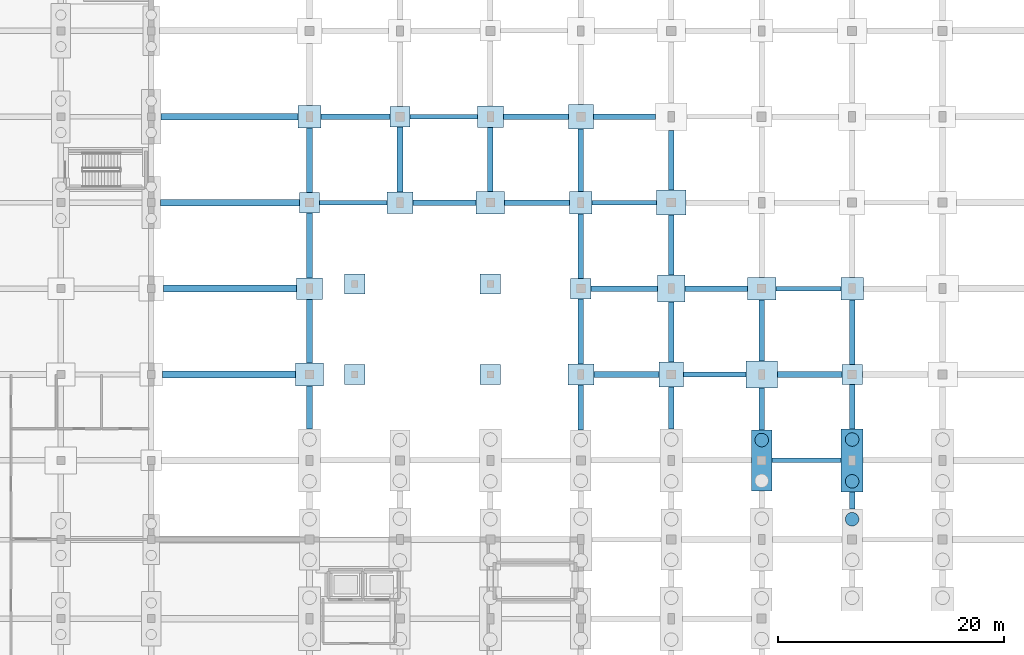
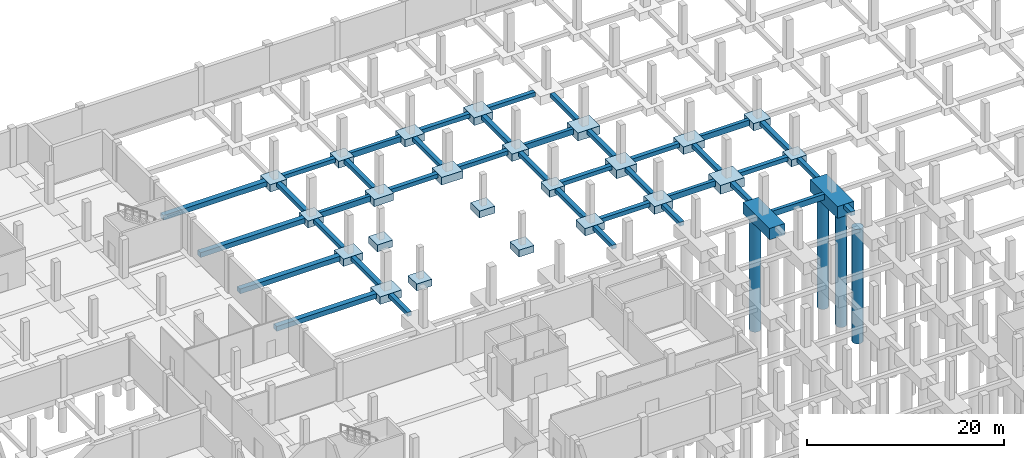
# One storey, part 16 of 50: 63 footings, 4 piles.
"""IFC4 building model written with IfcOpenShell, lengths in metres."""

from ifc_helpers import new_model, si_unit, direction, frame, origin, origin_2d, place, context, subcontext, project, spatial, polyline, rectangle, circle, outline, extrude, material, material_profile, profile_set, type_object, element, save


model = new_model("IFC4")

# Units and contexts
model_context = context("Model", 3, precision=1e-05, world=origin(), true_north=direction((0.0, 1.0)))
body_context = subcontext(model_context, "Body", "Model", "MODEL_VIEW")
ifc_project = project(units=[si_unit("LENGTHUNIT", "METRE"), si_unit("AREAUNIT", "SQUARE_METRE"), si_unit("VOLUMEUNIT", "CUBIC_METRE"), si_unit("PLANEANGLEUNIT", "RADIAN"), si_unit("MASSUNIT", "GRAM", prefix="KILO")], contexts=[model_context])

# Site, building, storey
site_placement = place(None, origin())
site = spatial("IfcSite", under=ifc_project, at=site_placement, CompositionType="ELEMENT")
building_placement = place(site_placement, origin())
building = spatial("IfcBuilding", under=site, at=building_placement, Name="Vekula Escarpment Museum", CompositionType="ELEMENT")
storey_placement = place(building_placement, frame((0.0, 0.0, -4.800048828125)))
storey = spatial("IfcBuildingStorey", under=building, at=storey_placement, Name="B1", CompositionType="ELEMENT", Elevation=-4.800048828125)

# Footings
ifc_material_1 = material(Name="Concrete C35/45", Category="concrete")
ifc_material_profile_1 = material_profile(ifc_material_1, rectangle(XDim=0.39990234375, YDim=0.699951171875, at=origin_2d()), Name="RC 400x700")
ifc_profile_set_1 = profile_set([ifc_material_profile_1], Name="Concrete C35/45")
footing_type_1 = type_object("IfcFootingType", Name="FB-TIE-400x700", PredefinedType="FOOTING_BEAM", material=ifc_profile_set_1)
footing_1_placement = place(storey_placement, frame((110.89990234375, 90.39990234375, -0.349853515625), z_axis=(1.0, 0.0, 0.0), x_axis=(0.0, 1.0, 0.0)))
element("IfcFooting", 1, at=footing_1_placement, inside=storey, type_object=footing_type_1, Name="Foundation Tie Beam 267", PredefinedType="FOOTING_BEAM", context=body_context, shape_type="SweptSolid", body=[
    extrude(rectangle(XDim=0.39990234375, YDim=0.699951171875, at=origin_2d()), origin(), (0.0, 0.0, 1.0), 6.125),
])
footing_2_placement = place(storey_placement, frame((103.10009765625, 98.0, -0.349853515625), z_axis=(1.0, 0.0, 0.0), x_axis=(0.0, 1.0, 0.0)))
element("IfcFooting", 2, at=footing_2_placement, inside=storey, type_object=footing_type_1, Name="Foundation Tie Beam 282", PredefinedType="FOOTING_BEAM", context=body_context, shape_type="SweptSolid", body=[
    extrude(rectangle(XDim=0.39990234375, YDim=0.699951171875, at=origin_2d()), origin(), (0.0, 0.0, 1.0), 5.5),
])
footing_3_placement = place(storey_placement, frame((111.25, 105.60009765625, -0.349853515625), z_axis=(1.0, 0.0, 0.0), x_axis=(0.0, 1.0, 0.0)))
element("IfcFooting", 3, at=footing_3_placement, inside=storey, type_object=footing_type_1, Name="Foundation Tie Beam 303", PredefinedType="FOOTING_BEAM", context=body_context, shape_type="SweptSolid", body=[
    extrude(rectangle(XDim=0.39990234375, YDim=0.699951171875, at=origin_2d()), origin(), (0.0, 0.0, 1.0), 5.75),
])
footing_4_placement = place(storey_placement, frame((70.89990234375, 113.199951171875, -0.349853515625), z_axis=(1.0, 0.0, 0.0), x_axis=(0.0, 1.0, 0.0)))
element("IfcFooting", 4, at=footing_4_placement, inside=storey, type_object=footing_type_1, Name="Foundation Tie Beam 321", PredefinedType="FOOTING_BEAM", context=body_context, shape_type="SweptSolid", body=[
    extrude(rectangle(XDim=0.39990234375, YDim=0.699951171875, at=origin_2d()), origin(), (0.0, 0.0, 1.0), 5.9501953125),
])
footing_5_placement = place(storey_placement, frame((95.0, 113.199951171875, -0.349853515625), z_axis=(1.0, 0.0, 0.0), x_axis=(0.0, 1.0, 0.0)))
element("IfcFooting", 5, at=footing_5_placement, inside=storey, type_object=footing_type_1, Name="Foundation Tie Beam 324", PredefinedType="FOOTING_BEAM", context=body_context, shape_type="SweptSolid", body=[
    extrude(rectangle(XDim=0.39990234375, YDim=0.699951171875, at=origin_2d()), origin(), (0.0, 0.0, 1.0), 5.699951171875),
])
footing_6_placement = place(storey_placement, frame((78.89990234375, 120.800048828125, -0.349853515625), z_axis=(1.0, 0.0, 0.0), x_axis=(0.0, 1.0, 0.0)))
element("IfcFooting", 6, at=footing_6_placement, inside=storey, type_object=footing_type_1, Name="Foundation Tie Beam 345", PredefinedType="FOOTING_BEAM", context=body_context, shape_type="SweptSolid", body=[
    extrude(rectangle(XDim=0.39990234375, YDim=0.699951171875, at=origin_2d()), origin(), (0.0, 0.0, 1.0), 5.9501953125),
])
ifc_material_2 = material(Name="Concrete C35/45", Category="concrete")
ifc_material_profile_2 = material_profile(ifc_material_2, rectangle(XDim=0.5, YDim=0.5, at=origin_2d()), Name="RC 500x500")
ifc_profile_set_2 = profile_set([ifc_material_profile_2], Name="Concrete C35/45")
footing_type_2 = type_object("IfcFootingType", Name="FB-TIE-500x500", PredefinedType="FOOTING_BEAM", material=ifc_profile_set_2)
footing_7_placement = place(storey_placement, frame((95.14990234375, 98.0, -0.25), z_axis=(1.0, 0.0, 0.0), x_axis=(0.0, 1.0, 0.0)))
element("IfcFooting", 7, at=footing_7_placement, inside=storey, type_object=footing_type_2, Name="Foundation Tie Beam 281", PredefinedType="FOOTING_BEAM", context=body_context, shape_type="SweptSolid", body=[
    extrude(rectangle(XDim=0.5, YDim=0.5, at=origin_2d()), origin(), (0.0, 0.0, 1.0), 5.75),
])
footing_8_placement = place(storey_placement, frame((111.39990234375, 98.0, -0.25), z_axis=(1.0, 0.0, 0.0), x_axis=(0.0, 1.0, 0.0)))
element("IfcFooting", 8, at=footing_8_placement, inside=storey, type_object=footing_type_2, Name="Foundation Tie Beam 283", PredefinedType="FOOTING_BEAM", context=body_context, shape_type="SweptSolid", body=[
    extrude(rectangle(XDim=0.5, YDim=0.5, at=origin_2d()), origin(), (0.0, 0.0, 1.0), 5.7001953125),
])
footing_9_placement = place(storey_placement, frame((94.89990234375, 105.60009765625, -0.25), z_axis=(1.0, 0.0, 0.0), x_axis=(0.0, 1.0, 0.0)))
element("IfcFooting", 9, at=footing_9_placement, inside=storey, type_object=footing_type_2, Name="Foundation Tie Beam 301", PredefinedType="FOOTING_BEAM", context=body_context, shape_type="SweptSolid", body=[
    extrude(rectangle(XDim=0.5, YDim=0.5, at=origin_2d()), origin(), (0.0, 0.0, 1.0), 5.900146484375),
])
footing_10_placement = place(storey_placement, frame((103.199951171875, 105.60009765625, -0.25), z_axis=(1.0, 0.0, 0.0), x_axis=(0.0, 1.0, 0.0)))
element("IfcFooting", 10, at=footing_10_placement, inside=storey, type_object=footing_type_2, Name="Foundation Tie Beam 302", PredefinedType="FOOTING_BEAM", context=body_context, shape_type="SweptSolid", body=[
    extrude(rectangle(XDim=0.5, YDim=0.5, at=origin_2d()), origin(), (0.0, 0.0, 1.0), 5.550048828125),
])
footing_11_placement = place(storey_placement, frame((79.14990234375, 113.199951171875, -0.25), z_axis=(1.0, 0.0, 0.0), x_axis=(0.0, 1.0, 0.0)))
element("IfcFooting", 11, at=footing_11_placement, inside=storey, type_object=footing_type_2, Name="Foundation Tie Beam 322", PredefinedType="FOOTING_BEAM", context=body_context, shape_type="SweptSolid", body=[
    extrude(rectangle(XDim=0.5, YDim=0.5, at=origin_2d()), origin(), (0.0, 0.0, 1.0), 5.60009765625),
])
footing_12_placement = place(storey_placement, frame((87.25, 113.199951171875, -0.25), z_axis=(1.0, 0.0, 0.0), x_axis=(0.0, 1.0, 0.0)))
element("IfcFooting", 12, at=footing_12_placement, inside=storey, type_object=footing_type_2, Name="Foundation Tie Beam 323", PredefinedType="FOOTING_BEAM", context=body_context, shape_type="SweptSolid", body=[
    extrude(rectangle(XDim=0.5, YDim=0.5, at=origin_2d()), origin(), (0.0, 0.0, 1.0), 5.75),
])
footing_13_placement = place(storey_placement, frame((71.0, 120.800048828125, -0.25), z_axis=(1.0, 0.0, 0.0), x_axis=(0.0, 1.0, 0.0)))
element("IfcFooting", 13, at=footing_13_placement, inside=storey, type_object=footing_type_2, Name="Foundation Tie Beam 344", PredefinedType="FOOTING_BEAM", context=body_context, shape_type="SweptSolid", body=[
    extrude(rectangle(XDim=0.5, YDim=0.5, at=origin_2d()), origin(), (0.0, 0.0, 1.0), 6.10009765625),
])
footing_14_placement = place(storey_placement, frame((87.14990234375, 120.800048828125, -0.25), z_axis=(1.0, 0.0, 0.0), x_axis=(0.0, 1.0, 0.0)))
element("IfcFooting", 14, at=footing_14_placement, inside=storey, type_object=footing_type_2, Name="Foundation Tie Beam 346", PredefinedType="FOOTING_BEAM", context=body_context, shape_type="SweptSolid", body=[
    extrude(rectangle(XDim=0.5, YDim=0.5, at=origin_2d()), origin(), (0.0, 0.0, 1.0), 5.75),
])
footing_15_placement = place(storey_placement, frame((95.10009765625, 120.800048828125, -0.25), z_axis=(1.0, 0.0, 0.0), x_axis=(0.0, 1.0, 0.0)))
element("IfcFooting", 15, at=footing_15_placement, inside=storey, type_object=footing_type_2, Name="Foundation Tie Beam 347", PredefinedType="FOOTING_BEAM", context=body_context, shape_type="SweptSolid", body=[
    extrude(rectangle(XDim=0.5, YDim=0.5, at=origin_2d()), origin(), (0.0, 0.0, 1.0), 5.5),
])
footing_16_placement = place(storey_placement, frame((70.0, 93.199951171875, -0.25), z_axis=(0.0, 1.0, 0.0), x_axis=(-1.0, 0.0, 0.0)))
element("IfcFooting", 16, at=footing_16_placement, inside=storey, type_object=footing_type_2, Name="Foundation Tie Beam 562", PredefinedType="FOOTING_BEAM", context=body_context, shape_type="SweptSolid", body=[
    extrude(rectangle(XDim=0.5, YDim=0.5, at=origin_2d()), origin(), (0.0, 0.0, 1.0), 3.800048828125),
])
footing_17_placement = place(storey_placement, frame((70.0, 99.0, -0.25), z_axis=(0.0, 1.0, 0.0), x_axis=(-1.0, 0.0, 0.0)))
element("IfcFooting", 17, at=footing_17_placement, inside=storey, type_object=footing_type_2, Name="Foundation Tie Beam 563", PredefinedType="FOOTING_BEAM", context=body_context, shape_type="SweptSolid", body=[
    extrude(rectangle(XDim=0.5, YDim=0.5, at=origin_2d()), origin(), (0.0, 0.0, 1.0), 5.64990234375),
])
footing_18_placement = place(storey_placement, frame((70.0, 106.550048828125, -0.25), z_axis=(0.0, 1.0, 0.0), x_axis=(-1.0, 0.0, 0.0)))
element("IfcFooting", 18, at=footing_18_placement, inside=storey, type_object=footing_type_2, Name="Foundation Tie Beam 564", PredefinedType="FOOTING_BEAM", context=body_context, shape_type="SweptSolid", body=[
    extrude(rectangle(XDim=0.5, YDim=0.5, at=origin_2d()), origin(), (0.0, 0.0, 1.0), 5.75),
])
footing_19_placement = place(storey_placement, frame((70.0, 114.10009765625, -0.25), z_axis=(0.0, 1.0, 0.0), x_axis=(-1.0, 0.0, 0.0)))
element("IfcFooting", 19, at=footing_19_placement, inside=storey, type_object=footing_type_2, Name="Foundation Tie Beam 565", PredefinedType="FOOTING_BEAM", context=body_context, shape_type="SweptSolid", body=[
    extrude(rectangle(XDim=0.5, YDim=0.5, at=origin_2d()), origin(), (0.0, 0.0, 1.0), 5.699951171875),
])
footing_20_placement = place(storey_placement, frame((78.0, 114.14990234375, -0.25), z_axis=(0.0, 1.0, 0.0), x_axis=(-1.0, 0.0, 0.0)))
element("IfcFooting", 20, at=footing_20_placement, inside=storey, type_object=footing_type_2, Name="Foundation Tie Beam 577", PredefinedType="FOOTING_BEAM", context=body_context, shape_type="SweptSolid", body=[
    extrude(rectangle(XDim=0.5, YDim=0.5, at=origin_2d()), origin(), (0.0, 0.0, 1.0), 5.75),
])
footing_21_placement = place(storey_placement, frame((86.0, 114.199951171875, -0.25), z_axis=(0.0, 1.0, 0.0), x_axis=(-1.0, 0.0, 0.0)))
element("IfcFooting", 21, at=footing_21_placement, inside=storey, type_object=footing_type_2, Name="Foundation Tie Beam 589", PredefinedType="FOOTING_BEAM", context=body_context, shape_type="SweptSolid", body=[
    extrude(rectangle(XDim=0.5, YDim=0.5, at=origin_2d()), origin(), (0.0, 0.0, 1.0), 5.650146484375),
])
footing_22_placement = place(storey_placement, frame((94.0, 93.10009765625, -0.25), z_axis=(0.0, 1.0, 0.0), x_axis=(-1.0, 0.0, 0.0)))
element("IfcFooting", 22, at=footing_22_placement, inside=storey, type_object=footing_type_2, Name="Foundation Tie Beam 604", PredefinedType="FOOTING_BEAM", context=body_context, shape_type="SweptSolid", body=[
    extrude(rectangle(XDim=0.5, YDim=0.5, at=origin_2d()), origin(), (0.0, 0.0, 1.0), 3.949951171875),
])
footing_23_placement = place(storey_placement, frame((94.0, 98.949951171875, -0.25), z_axis=(0.0, 1.0, 0.0), x_axis=(-1.0, 0.0, 0.0)))
element("IfcFooting", 23, at=footing_23_placement, inside=storey, type_object=footing_type_2, Name="Foundation Tie Beam 605", PredefinedType="FOOTING_BEAM", context=body_context, shape_type="SweptSolid", body=[
    extrude(rectangle(XDim=0.5, YDim=0.5, at=origin_2d()), origin(), (0.0, 0.0, 1.0), 5.75),
])
footing_24_placement = place(storey_placement, frame((94.0, 106.5, -0.25), z_axis=(0.0, 1.0, 0.0), x_axis=(-1.0, 0.0, 0.0)))
element("IfcFooting", 24, at=footing_24_placement, inside=storey, type_object=footing_type_2, Name="Foundation Tie Beam 606", PredefinedType="FOOTING_BEAM", context=body_context, shape_type="SweptSolid", body=[
    extrude(rectangle(XDim=0.5, YDim=0.5, at=origin_2d()), origin(), (0.0, 0.0, 1.0), 5.699951171875),
])
footing_25_placement = place(storey_placement, frame((94.0, 114.199951171875, -0.25), z_axis=(0.0, 1.0, 0.0), x_axis=(-1.0, 0.0, 0.0)))
element("IfcFooting", 25, at=footing_25_placement, inside=storey, type_object=footing_type_2, Name="Foundation Tie Beam 607", PredefinedType="FOOTING_BEAM", context=body_context, shape_type="SweptSolid", body=[
    extrude(rectangle(XDim=0.5, YDim=0.5, at=origin_2d()), origin(), (0.0, 0.0, 1.0), 5.5),
])
footing_26_placement = place(storey_placement, frame((102.0, 93.199951171875, -0.25), z_axis=(0.0, 1.0, 0.0), x_axis=(-1.0, 0.0, 0.0)))
element("IfcFooting", 26, at=footing_26_placement, inside=storey, type_object=footing_type_2, Name="Foundation Tie Beam 622", PredefinedType="FOOTING_BEAM", context=body_context, shape_type="SweptSolid", body=[
    extrude(rectangle(XDim=0.5, YDim=0.5, at=origin_2d()), origin(), (0.0, 0.0, 1.0), 3.699951171875),
])
footing_27_placement = place(storey_placement, frame((102.0, 99.10009765625, -0.25), z_axis=(0.0, 1.0, 0.0), x_axis=(-1.0, 0.0, 0.0)))
element("IfcFooting", 27, at=footing_27_placement, inside=storey, type_object=footing_type_2, Name="Foundation Tie Beam 623", PredefinedType="FOOTING_BEAM", context=body_context, shape_type="SweptSolid", body=[
    extrude(rectangle(XDim=0.5, YDim=0.5, at=origin_2d()), origin(), (0.0, 0.0, 1.0), 5.2998046875),
])
for number, where, z_axis, x_axis, name in (
    (28, (102.0, 106.800048828125, -0.25), (0.0, 1.0, 0.0), (-1.0, 0.0, 0.0), "Foundation Tie Beam 624"),
    (29, (102.0, 114.300048828125, -0.25), (0.0, 1.0, 0.0), (-1.0, 0.0, 0.0), "Foundation Tie Beam 625"),
):
    element("IfcFooting", number, at=place(storey_placement, frame(where, z_axis=z_axis, x_axis=x_axis)), inside=storey, type_object=footing_type_2, Name=name, PredefinedType="FOOTING_BEAM", context=body_context, shape_type="SweptSolid", body=[
        extrude(rectangle(XDim=0.5, YDim=0.5, at=origin_2d()), origin(), (0.0, 0.0, 1.0), 5.300048828125),
    ])
footing_28_placement = place(storey_placement, frame((110.0, 93.10009765625, -0.25), z_axis=(0.0, 1.0, 0.0), x_axis=(-1.0, 0.0, 0.0)))
element("IfcFooting", 30, at=footing_28_placement, inside=storey, type_object=footing_type_2, Name="Foundation Tie Beam 640", PredefinedType="FOOTING_BEAM", context=body_context, shape_type="SweptSolid", body=[
    extrude(rectangle(XDim=0.5, YDim=0.5, at=origin_2d()), origin(), (0.0, 0.0, 1.0), 3.699951171875),
])
footing_29_placement = place(storey_placement, frame((110.0, 99.199951171875, -0.25), z_axis=(0.0, 1.0, 0.0), x_axis=(-1.0, 0.0, 0.0)))
element("IfcFooting", 31, at=footing_29_placement, inside=storey, type_object=footing_type_2, Name="Foundation Tie Beam 641", PredefinedType="FOOTING_BEAM", context=body_context, shape_type="SweptSolid", body=[
    extrude(rectangle(XDim=0.5, YDim=0.5, at=origin_2d()), origin(), (0.0, 0.0, 1.0), 5.400146484375),
])
footing_30_placement = place(storey_placement, frame((118.0, 86.10009765625, -0.25), z_axis=(0.0, 1.0, 0.0), x_axis=(-1.0, 0.0, 0.0)))
element("IfcFooting", 32, at=footing_30_placement, inside=storey, type_object=footing_type_2, Name="Foundation Tie Beam 657", PredefinedType="FOOTING_BEAM", context=body_context, shape_type="SweptSolid", body=[
    extrude(rectangle(XDim=0.5, YDim=0.5, at=origin_2d()), origin(), (0.0, 0.0, 1.0), 1.5),
])
footing_31_placement = place(storey_placement, frame((118.0, 93.199951171875, -0.25), z_axis=(0.0, 1.0, 0.0), x_axis=(-1.0, 0.0, 0.0)))
element("IfcFooting", 33, at=footing_31_placement, inside=storey, type_object=footing_type_2, Name="Foundation Tie Beam 658", PredefinedType="FOOTING_BEAM", context=body_context, shape_type="SweptSolid", body=[
    extrude(rectangle(XDim=0.5, YDim=0.5, at=origin_2d()), origin(), (0.0, 0.0, 1.0), 3.900146484375),
])
footing_32_placement = place(storey_placement, frame((118.0, 98.89990234375, -0.25), z_axis=(0.0, 1.0, 0.0), x_axis=(-1.0, 0.0, 0.0)))
element("IfcFooting", 34, at=footing_32_placement, inside=storey, type_object=footing_type_2, Name="Foundation Tie Beam 659", PredefinedType="FOOTING_BEAM", context=body_context, shape_type="SweptSolid", body=[
    extrude(rectangle(XDim=0.5, YDim=0.5, at=origin_2d()), origin(), (0.0, 0.0, 1.0), 5.7001953125),
])
ifc_material_3 = material(Name="Concrete C35/45", Category="concrete")
ifc_material_profile_3 = material_profile(ifc_material_3, rectangle(XDim=0.60009765625, YDim=0.60009765625, at=origin_2d()), Name="RC 600x600")
ifc_profile_set_3 = profile_set([ifc_material_profile_3], Name="Concrete C35/45")
footing_type_3 = type_object("IfcFootingType", Name="FB-TIE-600x600", PredefinedType="FOOTING_BEAM", material=ifc_profile_set_3)
for number, where, z_axis, x_axis, name in (
    (35, (57.0, 98.0, -0.300048828125), (1.0, 0.0, 0.0), (0.0, 1.0, 0.0), "Foundation Tie Beam 280"),
    (36, (57.10009765625, 105.60009765625, -0.300048828125), (1.0, 0.0, 0.0), (0.0, 1.0, 0.0), "Foundation Tie Beam 300"),
):
    element("IfcFooting", number, at=place(storey_placement, frame(where, z_axis=z_axis, x_axis=x_axis)), inside=storey, type_object=footing_type_3, Name=name, PredefinedType="FOOTING_BEAM", context=body_context, shape_type="SweptSolid", body=[
        extrude(rectangle(XDim=0.60009765625, YDim=0.60009765625, at=origin_2d()), origin(), (0.0, 0.0, 1.0), 11.75),
    ])
footing_33_placement = place(storey_placement, frame((56.824951171875, 113.199951171875, -0.300048828125), z_axis=(1.0, 0.0, 0.0), x_axis=(0.0, 1.0, 0.0)))
element("IfcFooting", 37, at=footing_33_placement, inside=storey, type_object=footing_type_3, Name="Foundation Tie Beam 320", PredefinedType="FOOTING_BEAM", context=body_context, shape_type="SweptSolid", body=[
    extrude(rectangle(XDim=0.60009765625, YDim=0.60009765625, at=origin_2d()), origin(), (0.0, 0.0, 1.0), 12.275146484375),
])
footing_34_placement = place(storey_placement, frame((56.875, 120.800048828125, -0.300048828125), z_axis=(1.0, 0.0, 0.0), x_axis=(0.0, 1.0, 0.0)))
element("IfcFooting", 38, at=footing_34_placement, inside=storey, type_object=footing_type_3, Name="Foundation Tie Beam 343", PredefinedType="FOOTING_BEAM", context=body_context, shape_type="SweptSolid", body=[
    extrude(rectangle(XDim=0.60009765625, YDim=0.60009765625, at=origin_2d()), origin(), (0.0, 0.0, 1.0), 12.125),
])
ifc_material_4 = material(Name="Concrete C35/45", Category="concrete")
footing_type_4 = type_object("IfcFootingType", Name="FC-PAD1", PredefinedType="PAD_FOOTING", material=ifc_material_4)
footing_35_placement = place(storey_placement, frame((0.0, 0.0, -0.849853515625)))
element("IfcFooting", 39, at=footing_35_placement, inside=storey, type_object=footing_type_4, Name="Foundation FC-PAD1 (70.0,113.2)", PredefinedType="PAD_FOOTING", context=body_context, shape_type="SweptSolid", body=[
    extrude(outline(polyline([(69.10009765625, 112.300048828125), (70.89990234375, 112.300048828125), (70.89990234375, 114.10009765625), (69.10009765625, 114.10009765625), (69.10009765625, 112.300048828125)])), origin(), (0.0, 0.0, 1.0), 0.849853515625),
])
footing_36_placement = place(storey_placement, frame((0.0, 0.0, -0.849853515625)))
element("IfcFooting", 40, at=footing_36_placement, inside=storey, type_object=footing_type_4, Name="Foundation FC-PAD1 (78.0,120.8)", PredefinedType="PAD_FOOTING", context=body_context, shape_type="SweptSolid", body=[
    extrude(outline(polyline([(77.10009765625, 119.89990234375), (78.89990234375, 119.89990234375), (78.89990234375, 121.699951171875), (77.10009765625, 121.699951171875), (77.10009765625, 119.89990234375)])), origin(), (0.0, 0.0, 1.0), 0.849853515625),
])
footing_37_placement = place(storey_placement, frame((0.0, 0.0, -0.849853515625)))
element("IfcFooting", 41, at=footing_37_placement, inside=storey, type_object=footing_type_4, Name="Foundation FC-PAD1 (94.0,105.6)", PredefinedType="PAD_FOOTING", context=body_context, shape_type="SweptSolid", body=[
    extrude(outline(polyline([(93.10009765625, 104.699951171875), (94.89990234375, 104.699951171875), (94.89990234375, 106.5), (93.10009765625, 106.5), (93.10009765625, 104.699951171875)])), origin(), (0.0, 0.0, 1.0), 0.849853515625),
])
footing_38_placement = place(storey_placement, frame((0.0, 0.0, -0.849853515625)))
element("IfcFooting", 42, at=footing_38_placement, inside=storey, type_object=footing_type_4, Name="Foundation FC-PAD1 (118.0,98.0)", PredefinedType="PAD_FOOTING", context=body_context, shape_type="SweptSolid", body=[
    extrude(outline(polyline([(117.10009765625, 97.10009765625), (118.89990234375, 97.10009765625), (118.89990234375, 98.89990234375), (117.10009765625, 98.89990234375), (117.10009765625, 97.10009765625)])), origin(), (0.0, 0.0, 1.0), 0.849853515625),
])
footing_39_placement = place(storey_placement, frame((0.0, 0.0, -0.849853515625)))
element("IfcFooting", 43, at=footing_39_placement, inside=storey, type_object=footing_type_4, Name="Basin Foundation Pad N1", PredefinedType="PAD_FOOTING", context=body_context, shape_type="SweptSolid", body=[
    extrude(outline(polyline([(73.10009765625, 97.10009765625), (74.89990234375, 97.10009765625), (74.89990234375, 98.89990234375), (73.10009765625, 98.89990234375), (73.10009765625, 97.10009765625)])), origin(), (0.0, 0.0, 1.0), 0.849853515625),
])
footing_40_placement = place(storey_placement, frame((0.0, 0.0, -0.849853515625)))
element("IfcFooting", 44, at=footing_40_placement, inside=storey, type_object=footing_type_4, Name="Basin Foundation Pad N2", PredefinedType="PAD_FOOTING", context=body_context, shape_type="SweptSolid", body=[
    extrude(outline(polyline([(85.10009765625, 97.10009765625), (86.89990234375, 97.10009765625), (86.89990234375, 98.89990234375), (85.10009765625, 98.89990234375), (85.10009765625, 97.10009765625)])), origin(), (0.0, 0.0, 1.0), 0.849853515625),
])
footing_41_placement = place(storey_placement, frame((0.0, 0.0, -0.849853515625)))
element("IfcFooting", 45, at=footing_41_placement, inside=storey, type_object=footing_type_4, Name="Basin Foundation Pad N3", PredefinedType="PAD_FOOTING", context=body_context, shape_type="SweptSolid", body=[
    extrude(outline(polyline([(85.10009765625, 105.10009765625), (86.89990234375, 105.10009765625), (86.89990234375, 106.89990234375), (85.10009765625, 106.89990234375), (85.10009765625, 105.10009765625)])), origin(), (0.0, 0.0, 1.0), 0.849853515625),
])
footing_42_placement = place(storey_placement, frame((0.0, 0.0, -0.849853515625)))
element("IfcFooting", 46, at=footing_42_placement, inside=storey, type_object=footing_type_4, Name="Basin Foundation Pad N4", PredefinedType="PAD_FOOTING", context=body_context, shape_type="SweptSolid", body=[
    extrude(outline(polyline([(73.10009765625, 105.10009765625), (74.89990234375, 105.10009765625), (74.89990234375, 106.89990234375), (73.10009765625, 106.89990234375), (73.10009765625, 105.10009765625)])), origin(), (0.0, 0.0, 1.0), 0.849853515625),
])
ifc_material_5 = material(Name="Concrete C35/45", Category="concrete")
footing_type_5 = type_object("IfcFootingType", Name="FC-PAD2", PredefinedType="PAD_FOOTING", material=ifc_material_5)
footing_43_placement = place(storey_placement, frame((0.0, 0.0, -0.89990234375)))
element("IfcFooting", 47, at=footing_43_placement, inside=storey, type_object=footing_type_5, Name="Foundation FC-PAD2 (70.0,120.8)", PredefinedType="PAD_FOOTING", context=body_context, shape_type="SweptSolid", body=[
    extrude(outline(polyline([(69.0, 119.800048828125), (71.0, 119.800048828125), (71.0, 121.800048828125), (69.0, 121.800048828125), (69.0, 119.800048828125)])), origin(), (0.0, 0.0, 1.0), 0.89990234375),
])
footing_44_placement = place(storey_placement, frame((0.0, 0.0, -0.89990234375)))
element("IfcFooting", 48, at=footing_44_placement, inside=storey, type_object=footing_type_5, Name="Foundation FC-PAD2 (94.0,113.2)", PredefinedType="PAD_FOOTING", context=body_context, shape_type="SweptSolid", body=[
    extrude(outline(polyline([(93.0, 112.199951171875), (95.0, 112.199951171875), (95.0, 114.199951171875), (93.0, 114.199951171875), (93.0, 112.199951171875)])), origin(), (0.0, 0.0, 1.0), 0.89990234375),
])
footing_45_placement = place(storey_placement, frame((0.0, 0.0, -0.89990234375)))
element("IfcFooting", 49, at=footing_45_placement, inside=storey, type_object=footing_type_5, Name="Foundation FC-PAD2 (118.0,105.6)", PredefinedType="PAD_FOOTING", context=body_context, shape_type="SweptSolid", body=[
    extrude(outline(polyline([(117.0, 104.60009765625), (119.0, 104.60009765625), (119.0, 106.60009765625), (117.0, 106.60009765625), (117.0, 104.60009765625)])), origin(), (0.0, 0.0, 1.0), 0.89990234375),
])
ifc_material_6 = material(Name="Concrete C35/45", Category="concrete")
footing_type_6 = type_object("IfcFootingType", Name="FC-PAD3", PredefinedType="PAD_FOOTING", material=ifc_material_6)
footing_46_placement = place(storey_placement, frame((0.0, 0.0, -0.949951171875)))
element("IfcFooting", 50, at=footing_46_placement, inside=storey, type_object=footing_type_6, Name="Foundation FC-PAD3 (94.0,120.8)", PredefinedType="PAD_FOOTING", context=body_context, shape_type="SweptSolid", body=[
    extrude(outline(polyline([(92.89990234375, 119.699951171875), (95.10009765625, 119.699951171875), (95.10009765625, 121.89990234375), (92.89990234375, 121.89990234375), (92.89990234375, 119.699951171875)])), origin(), (0.0, 0.0, 1.0), 0.949951171875),
])
footing_47_placement = place(storey_placement, frame((0.0, 0.0, -0.949951171875)))
element("IfcFooting", 51, at=footing_47_placement, inside=storey, type_object=footing_type_6, Name="Foundation FC-PAD3 (102.0,98.0)", PredefinedType="PAD_FOOTING", context=body_context, shape_type="SweptSolid", body=[
    extrude(outline(polyline([(100.89990234375, 96.89990234375), (103.10009765625, 96.89990234375), (103.10009765625, 99.10009765625), (100.89990234375, 99.10009765625), (100.89990234375, 96.89990234375)])), origin(), (0.0, 0.0, 1.0), 0.949951171875),
])
ifc_material_7 = material(Name="Concrete C35/45", Category="concrete")
footing_type_7 = type_object("IfcFootingType", Name="FC-PAD4", PredefinedType="PAD_FOOTING", material=ifc_material_7)
footing_48_placement = place(storey_placement, frame((0.0, 0.0, -1.050048828125)))
element("IfcFooting", 52, at=footing_48_placement, inside=storey, type_object=footing_type_7, Name="Foundation FC-PAD4 (102.0,105.6)", PredefinedType="PAD_FOOTING", context=body_context, shape_type="SweptSolid", body=[
    extrude(outline(polyline([(100.800048828125, 104.39990234375), (103.199951171875, 104.39990234375), (103.199951171875, 106.800048828125), (100.800048828125, 106.800048828125), (100.800048828125, 104.39990234375)])), origin(), (0.0, 0.0, 1.0), 1.050048828125),
])
ifc_material_8 = material(Name="Concrete C35/45", Category="concrete")
footing_type_8 = type_object("IfcFootingType", Name="FC-PAD5", PredefinedType="PAD_FOOTING", material=ifc_material_8)
footing_49_placement = place(storey_placement, frame((0.0, 0.0, -1.0)))
element("IfcFooting", 53, at=footing_49_placement, inside=storey, type_object=footing_type_8, Name="Foundation FC-PAD5 (102.0,113.2)", PredefinedType="PAD_FOOTING", context=body_context, shape_type="SweptSolid", body=[
    extrude(outline(polyline([(100.699951171875, 112.10009765625), (103.300048828125, 112.10009765625), (103.300048828125, 114.300048828125), (100.699951171875, 114.300048828125), (100.699951171875, 112.10009765625)])), origin(), (0.0, 0.0, 1.0), 1.0),
])
ifc_material_9 = material(Name="Concrete C35/45", Category="concrete")
footing_type_9 = type_object("IfcFootingType", Name="FC-PAD6", PredefinedType="PAD_FOOTING", material=ifc_material_9)
footing_50_placement = place(storey_placement, frame((0.0, 0.0, -1.099853515625)))
element("IfcFooting", 54, at=footing_50_placement, inside=storey, type_object=footing_type_9, Name="Foundation FC-PAD6 (110.0,98.0)", PredefinedType="PAD_FOOTING", context=body_context, shape_type="SweptSolid", body=[
    extrude(outline(polyline([(108.60009765625, 96.800048828125), (111.39990234375, 96.800048828125), (111.39990234375, 99.199951171875), (108.60009765625, 99.199951171875), (108.60009765625, 96.800048828125)])), origin(), (0.0, 0.0, 1.0), 1.099853515625),
])
ifc_material_10 = material(Name="Concrete C35/45", Category="concrete")
footing_type_10 = type_object("IfcFootingType", Name="FC-PAD7", PredefinedType="PAD_FOOTING", material=ifc_material_10)
footing_51_placement = place(storey_placement, frame((0.0, 0.0, -0.949951171875)))
element("IfcFooting", 55, at=footing_51_placement, inside=storey, type_object=footing_type_10, Name="Foundation FC-PAD7 (70.0,98.0)", PredefinedType="PAD_FOOTING", context=body_context, shape_type="SweptSolid", body=[
    extrude(outline(polyline([(68.75, 97.0), (71.25, 97.0), (71.25, 99.0), (68.75, 99.0), (68.75, 97.0)])), origin(), (0.0, 0.0, 1.0), 0.949951171875),
])
footing_52_placement = place(storey_placement, frame((0.0, 0.0, -0.949951171875)))
element("IfcFooting", 56, at=footing_52_placement, inside=storey, type_object=footing_type_10, Name="Foundation FC-PAD7 (86.0,113.2)", PredefinedType="PAD_FOOTING", context=body_context, shape_type="SweptSolid", body=[
    extrude(outline(polyline([(84.75, 112.199951171875), (87.25, 112.199951171875), (87.25, 114.199951171875), (84.75, 114.199951171875), (84.75, 112.199951171875)])), origin(), (0.0, 0.0, 1.0), 0.949951171875),
])
footing_53_placement = place(storey_placement, frame((0.0, 0.0, -0.949951171875)))
element("IfcFooting", 57, at=footing_53_placement, inside=storey, type_object=footing_type_10, Name="Foundation FC-PAD7 (110.0,105.6)", PredefinedType="PAD_FOOTING", context=body_context, shape_type="SweptSolid", body=[
    extrude(outline(polyline([(108.75, 104.60009765625), (111.25, 104.60009765625), (111.25, 106.60009765625), (108.75, 106.60009765625), (108.75, 104.60009765625)])), origin(), (0.0, 0.0, 1.0), 0.949951171875),
])
ifc_material_11 = material(Name="Concrete C35/45", Category="concrete")
footing_type_11 = type_object("IfcFootingType", Name="FC-PAD8", PredefinedType="PAD_FOOTING", material=ifc_material_11)
footing_54_placement = place(storey_placement, frame((0.0, 0.0, -0.89990234375)))
element("IfcFooting", 58, at=footing_54_placement, inside=storey, type_object=footing_type_11, Name="Foundation FC-PAD8 (70.0,105.6)", PredefinedType="PAD_FOOTING", context=body_context, shape_type="SweptSolid", body=[
    extrude(outline(polyline([(68.85009765625, 104.64990234375), (71.14990234375, 104.64990234375), (71.14990234375, 106.550048828125), (68.85009765625, 106.550048828125), (68.85009765625, 104.64990234375)])), origin(), (0.0, 0.0, 1.0), 0.89990234375),
])
footing_55_placement = place(storey_placement, frame((0.0, 0.0, -0.89990234375)))
element("IfcFooting", 59, at=footing_55_placement, inside=storey, type_object=footing_type_11, Name="Foundation FC-PAD8 (78.0,113.2)", PredefinedType="PAD_FOOTING", context=body_context, shape_type="SweptSolid", body=[
    extrude(outline(polyline([(76.85009765625, 112.25), (79.14990234375, 112.25), (79.14990234375, 114.14990234375), (76.85009765625, 114.14990234375), (76.85009765625, 112.25)])), origin(), (0.0, 0.0, 1.0), 0.89990234375),
])
footing_56_placement = place(storey_placement, frame((0.0, 0.0, -0.89990234375)))
element("IfcFooting", 60, at=footing_56_placement, inside=storey, type_object=footing_type_11, Name="Foundation FC-PAD8 (86.0,120.8)", PredefinedType="PAD_FOOTING", context=body_context, shape_type="SweptSolid", body=[
    extrude(outline(polyline([(84.85009765625, 119.85009765625), (87.14990234375, 119.85009765625), (87.14990234375, 121.75), (84.85009765625, 121.75), (84.85009765625, 119.85009765625)])), origin(), (0.0, 0.0, 1.0), 0.89990234375),
])
footing_57_placement = place(storey_placement, frame((0.0, 0.0, -0.89990234375)))
element("IfcFooting", 61, at=footing_57_placement, inside=storey, type_object=footing_type_11, Name="Foundation FC-PAD8 (94.0,98.0)", PredefinedType="PAD_FOOTING", context=body_context, shape_type="SweptSolid", body=[
    extrude(outline(polyline([(92.85009765625, 97.050048828125), (95.14990234375, 97.050048828125), (95.14990234375, 98.949951171875), (92.85009765625, 98.949951171875), (92.85009765625, 97.050048828125)])), origin(), (0.0, 0.0, 1.0), 0.89990234375),
])
ifc_material_12 = material(Name="Concrete C35/45", Category="concrete")
footing_type_12 = type_object("IfcFootingType", Name="FC-PC2Y-HA", PredefinedType="PILE_CAP", material=ifc_material_12)
footing_58_placement = place(storey_placement, frame((0.0, 0.0, -1.39990234375)))
element("IfcFooting", 62, at=footing_58_placement, inside=storey, type_object=footing_type_12, Name="Foundation FC-PC2Y-HA (110.0,90.4)", PredefinedType="PILE_CAP", context=body_context, shape_type="SweptSolid", body=[
    extrude(outline(polyline([(109.10009765625, 87.699951171875), (110.89990234375, 87.699951171875), (110.89990234375, 93.10009765625), (109.10009765625, 93.10009765625), (109.10009765625, 87.699951171875)])), origin(), (0.0, 0.0, 1.0), 1.39990234375),
])
ifc_material_13 = material(Name="Concrete C35/45", Category="concrete")
footing_type_13 = type_object("IfcFootingType", Name="FC-PC2Y-HB", PredefinedType="PILE_CAP", material=ifc_material_13)
footing_59_placement = place(storey_placement, frame((0.0, 0.0, -1.449951171875)))
element("IfcFooting", 63, at=footing_59_placement, inside=storey, type_object=footing_type_13, Name="Foundation FC-PC2Y-HB (118.0,90.4)", PredefinedType="PILE_CAP", context=body_context, shape_type="SweptSolid", body=[
    extrude(outline(polyline([(117.02490234375, 87.60009765625), (118.97509765625, 87.60009765625), (118.97509765625, 93.199951171875), (117.02490234375, 93.199951171875), (117.02490234375, 87.60009765625)])), origin(), (0.0, 0.0, 1.0), 1.449951171875),
])

# Piles
ifc_material_14 = material(Name="Concrete C35/45", Category="concrete")
ifc_material_profile_4 = material_profile(ifc_material_14, circle(Radius=0.60009765625, at=origin_2d()), Name="BORED PILE 1200")
ifc_profile_set_4 = profile_set([ifc_material_profile_4], Name="Concrete C35/45")
pile_type = type_object("IfcPileType", Name="PILE-B1200", PredefinedType="BORED", material=ifc_profile_set_4)
for number, where, z_axis, x_axis, name in (
    (64, (110.0, 92.199951171875, -1.300048828125), (0.0, 0.0, -1.0), (1.0, 0.0, 0.0), "Bored Pile (110.0,92.2)"),
    (65, (118.0, 85.199951171875, -1.300048828125), (0.0, 0.0, -1.0), (1.0, 0.0, 0.0), "Bored Pile (118.0,85.2)"),
):
    element("IfcPile", number, at=place(storey_placement, frame(where, z_axis=z_axis, x_axis=x_axis)), inside=storey, type_object=pile_type, Name=name, PredefinedType="BORED", context=body_context, shape_type="SweptSolid", body=[
        extrude(circle(Radius=0.60009765625, at=origin_2d()), origin(), (0.0, 0.0, 1.0), 14.199951171875),
    ])
for number, where, z_axis, x_axis, name in (
    (66, (118.0, 88.550048828125, -1.349853515625), (0.0, 0.0, -1.0), (1.0, 0.0, 0.0), "Bored Pile (118.0,88.6)"),
    (67, (118.0, 92.25, -1.349853515625), (0.0, 0.0, -1.0), (1.0, 0.0, 0.0), "Bored Pile (118.0,92.2)"),
):
    element("IfcPile", number, at=place(storey_placement, frame(where, z_axis=z_axis, x_axis=x_axis)), inside=storey, type_object=pile_type, Name=name, PredefinedType="BORED", context=body_context, shape_type="SweptSolid", body=[
        extrude(circle(Radius=0.60009765625, at=origin_2d()), origin(), (0.0, 0.0, 1.0), 14.14990234375),
    ])

save(model, "model.ifc")
